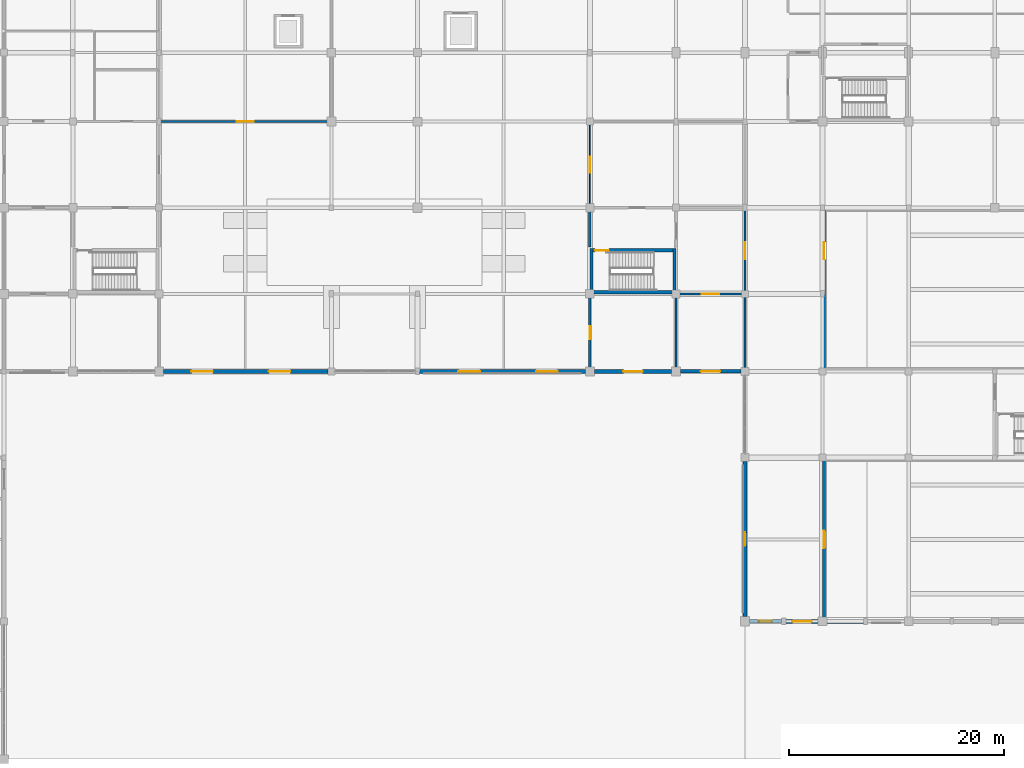
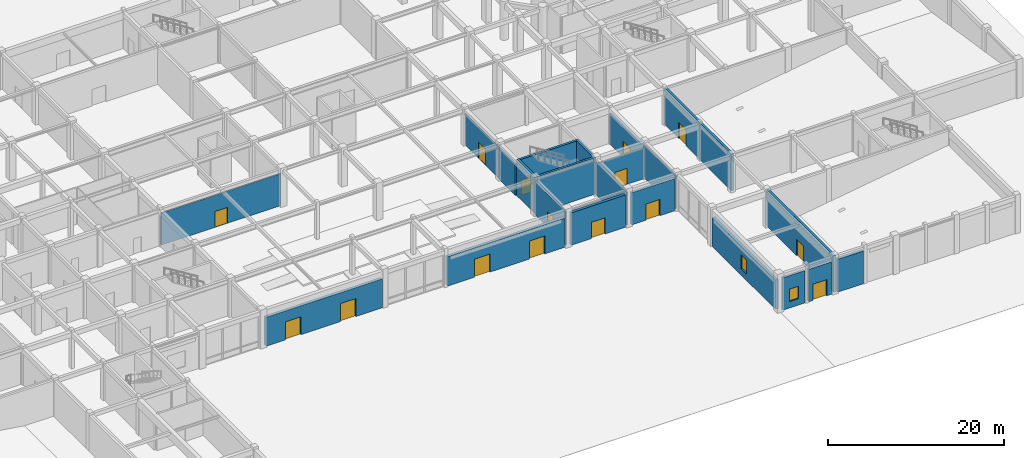
# One storey, part 26 of 40: 22 walls, 15 doors, 2 windows, 17 openings.
"""IFC4 building model written with IfcOpenShell, lengths in metres."""

from ifc_helpers import new_model, si_unit, direction, frame, frame_2d, origin, place, context, subcontext, project, spatial, rectangle, extrude, material, layer, layer_set, type_object, element, fill, save


model = new_model("IFC4")

# Units and contexts
model_context = context("Model", 3, precision=1e-05, world=origin(), true_north=direction((0.0, 1.0)))
body_context = subcontext(model_context, "Body", "Model", "MODEL_VIEW")
ifc_project = project(units=[si_unit("LENGTHUNIT", "METRE"), si_unit("AREAUNIT", "SQUARE_METRE"), si_unit("VOLUMEUNIT", "CUBIC_METRE"), si_unit("PLANEANGLEUNIT", "RADIAN"), si_unit("MASSUNIT", "GRAM", prefix="KILO")], contexts=[model_context])

# Site, building, storey
site_placement = place(None, origin())
site = spatial("IfcSite", under=ifc_project, at=site_placement, CompositionType="ELEMENT")
building_placement = place(site_placement, origin())
building = spatial("IfcBuilding", under=site, at=building_placement, Name="Vellmiral Cinema and Media Centre", CompositionType="ELEMENT")
storey_placement = place(building_placement, origin())
storey = spatial("IfcBuildingStorey", under=building, at=storey_placement, Name="L00", CompositionType="ELEMENT", Elevation=0.0)

# Wall, opening, door
ifc_material_1 = material(Name="Concrete C40/50", Category="concrete")
ifc_layer_1 = layer(ifc_material_1, 0.2099609375, Name="Concrete C40/50")
ifc_layer_set_1 = layer_set([ifc_layer_1], Name="Concrete C40/50")
wall_type_1 = type_object("IfcWallType", Name="WL-COMP-210", PredefinedType="SOLIDWALL", material=ifc_layer_set_1)
wall_1_placement = place(storey_placement, frame((110.5400390625, 43.199951171875, 0.0), z_axis=(0.0, 0.0, 1.0), x_axis=(1.0, 0.0, 0.0)))
wall_1 = element("IfcWall", 1, at=wall_1_placement, inside=storey, type_object=wall_type_1, Name="ST-P4 Protected Exit Vestibule Wall S", PredefinedType="SOLIDWALL", context=body_context, shape_type="SweptSolid", body=[
    extrude(rectangle(XDim=6.119873046875, YDim=0.2099609375, at=frame_2d((3.06005859375, 0.0))), origin(), (0.0, 0.0, 1.0), 4.22509765625),
])
opening_1_placement = place(wall_1_placement, frame((2.260009765625, 0.0, 0.0)))
opening_1 = element("IfcOpeningElement", 2, at=opening_1_placement, cuts=wall_1, Name="Opening D-FD60A", PredefinedType="OPENING", context=body_context, shape_type="SweptSolid", body=[
    extrude(rectangle(XDim=1.60009765625, YDim=2.199951171875, at=frame_2d((0.800048828125, 1.10009765625))), frame((0.0, 0.116943359375, 0.0), z_axis=(0.0, -1.0, 0.0), x_axis=(1.0, 0.0, 0.0)), (0.0, 0.0, 1.0), 0.23388671875),
])
ifc_material_2 = material(Name="Steel Fire Door", Category="steel")
door_type_1 = type_object("IfcDoorType", Name="DR-FD60-1600x2200", OperationType="DOUBLE_DOOR_SINGLE_SWING", PredefinedType="DOOR", material=ifc_material_2)
door_1_placement = place(opening_1_placement, origin())
door_1 = element("IfcDoor", 3, at=door_1_placement, inside=storey, type_object=door_type_1, Name="ST-P4 Protected Exit Vestibule Door", OperationType="DOUBLE_DOOR_SINGLE_SWING", OverallHeight=2.199951171875, OverallWidth=1.60009765625, PredefinedType="DOOR", context=body_context, shape_type="SweptSolid", body=[
    extrude(rectangle(XDim=1.60009765625, YDim=2.199951171875, at=frame_2d((0.800048828125, 1.10009765625))), frame((0.0, 0.02490234375, 0.0), z_axis=(0.0, -1.0, 0.0), x_axis=(1.0, 0.0, 0.0)), (0.0, 0.0, 1.0), 0.050048828125),
])
fill(opening_1, door_1)

wall_2_placement = place(storey_placement, frame((116.800048828125, 43.340087890625, 0.0), z_axis=(0.0, 0.0, 1.0), x_axis=(0.0, 1.0, 0.0)))
wall_2 = element("IfcWall", 4, at=wall_2_placement, inside=storey, type_object=wall_type_1, Name="ST-P4 Protected Exit Vestibule Wall E", PredefinedType="SOLIDWALL", context=body_context, shape_type="SweptSolid", body=[
    extrude(rectangle(XDim=7.719970703125, YDim=0.2099609375, at=frame_2d((3.85986328125, 0.0))), origin(), (0.0, 0.0, 1.0), 4.22509765625),
])
opening_2_placement = place(wall_2_placement, frame((3.06005859375, 0.0, 0.0)))
opening_2 = element("IfcOpeningElement", 5, at=opening_2_placement, cuts=wall_2, Name="Opening D-FD60A", PredefinedType="OPENING", context=body_context, shape_type="SweptSolid", body=[
    extrude(rectangle(XDim=1.60009765625, YDim=2.199951171875, at=frame_2d((0.800048828125, 1.10009765625))), frame((0.0, 0.116943359375, 0.0), z_axis=(0.0, -1.0, 0.0), x_axis=(1.0, 0.0, 0.0)), (0.0, 0.0, 1.0), 0.23388671875),
])
door_2_placement = place(opening_2_placement, origin())
door_2 = element("IfcDoor", 6, at=door_2_placement, inside=storey, type_object=door_type_1, Name="ST-P4 Protected Exit Vestibule Door", OperationType="DOUBLE_DOOR_SINGLE_SWING", OverallHeight=2.199951171875, OverallWidth=1.60009765625, PredefinedType="DOOR", context=body_context, shape_type="SweptSolid", body=[
    extrude(rectangle(XDim=1.60009765625, YDim=2.199951171875, at=frame_2d((0.800048828125, 1.10009765625))), frame((0.0, 0.02490234375, 0.0), z_axis=(0.0, -1.0, 0.0), x_axis=(1.0, 0.0, 0.0)), (0.0, 0.0, 1.0), 0.050048828125),
])
fill(opening_2, door_2)

# Walls
wall_3_placement = place(storey_placement, frame((110.39990234375, 36.10498046875, 0.0), z_axis=(0.0, 0.0, 1.0), x_axis=(0.0, 1.0, 0.0)))
element("IfcWall", 7, at=wall_3_placement, inside=storey, type_object=wall_type_1, Name="South-East Protected Exit Vestibule Wall W", PredefinedType="SOLIDWALL", context=body_context, shape_type="SweptSolid", body=[
    extrude(rectangle(XDim=6.955078125, YDim=0.2099609375, at=frame_2d((3.4775390625, 0.0))), origin(), (0.0, 0.0, 1.0), 4.52490234375),
])
wall_4_placement = place(storey_placement, frame((116.800048828125, 36.10498046875, 0.0), z_axis=(0.0, 0.0, 1.0), x_axis=(0.0, 1.0, 0.0)))
element("IfcWall", 8, at=wall_4_placement, inside=storey, type_object=wall_type_1, Name="South-East Protected Exit Vestibule Wall E", PredefinedType="SOLIDWALL", context=body_context, shape_type="SweptSolid", body=[
    extrude(rectangle(XDim=6.955078125, YDim=0.2099609375, at=frame_2d((3.4775390625, 0.0))), origin(), (0.0, 0.0, 1.0), 4.574951171875),
])

# Wall, opening, door
wall_5_placement = place(storey_placement, frame((102.39990234375, 36.10498046875, 0.0), z_axis=(0.0, 0.0, 1.0), x_axis=(0.0, 1.0, 0.0)))
wall_5 = element("IfcWall", 9, at=wall_5_placement, inside=storey, type_object=wall_type_1, Name="Fire Command Room Wall W", PredefinedType="SOLIDWALL", context=body_context, shape_type="SweptSolid", body=[
    extrude(rectangle(XDim=6.955078125, YDim=0.2099609375, at=frame_2d((3.4775390625, 0.0))), origin(), (0.0, 0.0, 1.0), 4.625),
])
opening_3_placement = place(wall_5_placement, frame((2.89501953125, 0.0, 0.0)))
opening_3 = element("IfcOpeningElement", 10, at=opening_3_placement, cuts=wall_5, Name="Opening D-FD60C", PredefinedType="OPENING", context=body_context, shape_type="SweptSolid", body=[
    extrude(rectangle(XDim=1.199951171875, YDim=2.199951171875, at=frame_2d((0.60009765625, 1.10009765625))), frame((0.0, 0.116943359375, 0.0), z_axis=(0.0, -1.0, 0.0), x_axis=(1.0, 0.0, 0.0)), (0.0, 0.0, 1.0), 0.23388671875),
])
ifc_material_3 = material(Name="Steel Fire Door", Category="steel")
door_type_2 = type_object("IfcDoorType", Name="DR-FD60-1200x2200", OperationType="NOTDEFINED", PredefinedType="DOOR", material=ifc_material_3)
door_3_placement = place(opening_3_placement, frame((1.199951171875, 0.0, 0.0), z_axis=(0.0, 0.0, 1.0), x_axis=(-1.0, 0.0, 0.0)))
door_3 = element("IfcDoor", 11, at=door_3_placement, inside=storey, type_object=door_type_2, Name="Fire Command Room Door", OperationType="SINGLE_SWING_LEFT", OverallHeight=2.199951171875, OverallWidth=1.199951171875, PredefinedType="DOOR", context=body_context, shape_type="SweptSolid", body=[
    extrude(rectangle(XDim=1.199951171875, YDim=2.199951171875, at=frame_2d((0.60009765625, 1.10009765625))), frame((0.0, 0.02490234375, 0.0), z_axis=(0.0, -1.0, 0.0), x_axis=(1.0, 0.0, 0.0)), (0.0, 0.0, 1.0), 0.050048828125),
])
fill(opening_3, door_3)

ifc_material_4 = material(Name="Concrete C40/50", Category="concrete")
ifc_layer_2 = layer(ifc_material_4, 0.300048828125, Name="Concrete C40/50")
ifc_layer_set_2 = layer_set([ifc_layer_2], Name="Concrete C40/50")
wall_type_2 = type_object("IfcWallType", Name="WL-CORE-300", PredefinedType="SHEAR", material=ifc_layer_set_2)
wall_6_placement = place(storey_placement, frame((124.14990234375, 12.800048828125, 0.0), z_axis=(0.0, 0.0, 1.0), x_axis=(0.0, 1.0, 0.0)))
wall_6 = element("IfcWall", 12, at=wall_6_placement, inside=storey, type_object=wall_type_2, Name="Cinema Screen 5 Acoustic Enclosure Wall L00-W1", PredefinedType="SHEAR", context=body_context, shape_type="SweptSolid", body=[
    extrude(rectangle(XDim=15.199951171875, YDim=0.300048828125, at=frame_2d((7.60009765625, 0.0))), origin(), (0.0, 0.0, 1.0), 5.080078125),
])
opening_4_placement = place(wall_6_placement, frame((6.800048828125, 0.0, 0.0)))
opening_4 = element("IfcOpeningElement", 13, at=opening_4_placement, cuts=wall_6, Name="Opening D-AC2", PredefinedType="OPENING", context=body_context, shape_type="SweptSolid", body=[
    extrude(rectangle(XDim=1.60009765625, YDim=2.25, at=frame_2d((0.800048828125, 1.125))), frame((0.0, 0.162109375, 0.0), z_axis=(0.0, -1.0, 0.0), x_axis=(1.0, 0.0, 0.0)), (0.0, 0.0, 1.0), 0.323974609375),
])
ifc_material_5 = material(Name="Acoustic Cinema Door", Category="steel")
door_type_3 = type_object("IfcDoorType", Name="DR-AC-1600x2250", OperationType="DOUBLE_DOOR_SINGLE_SWING", PredefinedType="DOOR", material=ifc_material_5)
door_4_placement = place(opening_4_placement, origin())
door_4 = element("IfcDoor", 14, at=door_4_placement, inside=storey, type_object=door_type_3, Name="Cinema Screen 5 Entrance Door", OperationType="DOUBLE_DOOR_SINGLE_SWING", OverallHeight=2.25, OverallWidth=1.60009765625, PredefinedType="DOOR", context=body_context, shape_type="SweptSolid", body=[
    extrude(rectangle(XDim=1.60009765625, YDim=2.25, at=frame_2d((0.800048828125, 1.125))), frame((0.0, 0.02490234375, 0.0), z_axis=(0.0, -1.0, 0.0), x_axis=(1.0, 0.0, 0.0)), (0.0, 0.0, 1.0), 0.050048828125),
])
fill(opening_4, door_4)

wall_7_placement = place(storey_placement, frame((124.14990234375, 36.0, 0.0), z_axis=(0.0, 0.0, 1.0), x_axis=(0.0, 1.0, 0.0)))
wall_7 = element("IfcWall", 15, at=wall_7_placement, inside=storey, type_object=wall_type_2, Name="Cinema Screen 6 Acoustic Enclosure Wall L00-W1", PredefinedType="SHEAR", context=body_context, shape_type="SweptSolid", body=[
    extrude(rectangle(XDim=15.199951171875, YDim=0.300048828125, at=frame_2d((7.60009765625, 0.0))), origin(), (0.0, 0.0, 1.0), 5.080078125),
])
opening_5_placement = place(wall_7_placement, frame((10.39990234375, 0.0, 0.0)))
opening_5 = element("IfcOpeningElement", 16, at=opening_5_placement, cuts=wall_7, Name="Opening D-AC2", PredefinedType="OPENING", context=body_context, shape_type="SweptSolid", body=[
    extrude(rectangle(XDim=1.60009765625, YDim=2.25, at=frame_2d((0.800048828125, 1.125))), frame((0.0, 0.162109375, 0.0), z_axis=(0.0, -1.0, 0.0), x_axis=(1.0, 0.0, 0.0)), (0.0, 0.0, 1.0), 0.323974609375),
])
door_5_placement = place(opening_5_placement, origin())
door_5 = element("IfcDoor", 17, at=door_5_placement, inside=storey, type_object=door_type_3, Name="Cinema Screen 6 Entrance Door", OperationType="DOUBLE_DOOR_SINGLE_SWING", OverallHeight=2.25, OverallWidth=1.60009765625, PredefinedType="DOOR", context=body_context, shape_type="SweptSolid", body=[
    extrude(rectangle(XDim=1.60009765625, YDim=2.25, at=frame_2d((0.800048828125, 1.125))), frame((0.0, 0.02490234375, 0.0), z_axis=(0.0, -1.0, 0.0), x_axis=(1.0, 0.0, 0.0)), (0.0, 0.0, 1.0), 0.050048828125),
])
fill(opening_5, door_5)

# Walls
for number, where, z_axis, x_axis, name in (
    (18, (102.550048828125, 43.199951171875, 0.0), (0.0, 0.0, 1.0), (0.0, 1.0, 0.0), "Stair Core Wall ST-P4 L00-W"),
    (19, (110.25, 43.199951171875, 0.0), (0.0, 0.0, 1.0), (0.0, 1.0, 0.0), "Stair Core Wall ST-P4 L00-E"),
):
    element("IfcWall", number, at=place(storey_placement, frame(where, z_axis=z_axis, x_axis=x_axis)), inside=storey, type_object=wall_type_2, Name=name, PredefinedType="SHEAR", context=body_context, shape_type="SweptSolid", body=[
        extrude(rectangle(XDim=4.199951171875, YDim=0.300048828125, at=frame_2d((2.10009765625, 0.0))), origin(), (0.0, 0.0, 1.0), 5.080078125),
    ])
wall_8_placement = place(storey_placement, frame((102.699951171875, 43.35009765625, 0.0), z_axis=(0.0, 0.0, 1.0), x_axis=(1.0, 0.0, 0.0)))
element("IfcWall", 20, at=wall_8_placement, inside=storey, type_object=wall_type_2, Name="Stair Core Wall ST-P4 L00-S", PredefinedType="SHEAR", context=body_context, shape_type="SweptSolid", body=[
    extrude(rectangle(XDim=7.400146484375, YDim=0.300048828125, at=frame_2d((3.7001953125, 0.0))), origin(), (0.0, 0.0, 1.0), 5.080078125),
])

# Wall, opening, door
wall_9_placement = place(storey_placement, frame((102.699951171875, 47.25, 0.0), z_axis=(0.0, 0.0, 1.0), x_axis=(1.0, 0.0, 0.0)))
wall_9 = element("IfcWall", 21, at=wall_9_placement, inside=storey, type_object=wall_type_2, Name="Stair Core Wall ST-P4 L00-N", PredefinedType="SHEAR", context=body_context, shape_type="SweptSolid", body=[
    extrude(rectangle(XDim=7.400146484375, YDim=0.300048828125, at=frame_2d((3.7001953125, 0.0))), origin(), (0.0, 0.0, 1.0), 5.080078125),
])
opening_6_placement = place(wall_9_placement, frame((0.159912109375, 0.0, 0.0)))
opening_6 = element("IfcOpeningElement", 22, at=opening_6_placement, cuts=wall_9, Name="Opening D-FD30A", PredefinedType="OPENING", context=body_context, shape_type="SweptSolid", body=[
    extrude(rectangle(XDim=1.300048828125, YDim=2.179931640625, at=frame_2d((0.64990234375, 1.08984375))), frame((0.0, 0.162109375, 0.0), z_axis=(0.0, -1.0, 0.0), x_axis=(1.0, 0.0, 0.0)), (0.0, 0.0, 1.0), 0.323974609375),
])
ifc_material_6 = material(Name="Steel Stair Fire Door", Category="steel")
door_type_4 = type_object("IfcDoorType", Name="DR-FD30-1300x2180", OperationType="NOTDEFINED", PredefinedType="DOOR", material=ifc_material_6)
door_6_placement = place(opening_6_placement, origin())
door_6 = element("IfcDoor", 23, at=door_6_placement, inside=storey, type_object=door_type_4, Name="Protected Stair Door ST-P4 L00", OperationType="SINGLE_SWING_LEFT", OverallHeight=2.179931640625, OverallWidth=1.300048828125, PredefinedType="DOOR", context=body_context, shape_type="SweptSolid", body=[
    extrude(rectangle(XDim=1.300048828125, YDim=2.179931640625, at=frame_2d((0.64990234375, 1.08984375))), frame((0.0, 0.02490234375, 0.0), z_axis=(0.0, -1.0, 0.0), x_axis=(1.0, 0.0, 0.0)), (0.0, 0.0, 1.0), 0.050048828125),
])
fill(opening_6, door_6)

ifc_material_7 = material(Name="Polychrome Glazed Ceramic Cladding", Category="masonry")
ifc_layer_3 = layer(ifc_material_7, 0.320068359375, Name="Polychrome Glazed Ceramic Cladding")
ifc_layer_set_3 = layer_set([ifc_layer_3], Name="Polychrome Glazed Ceramic Cladding")
wall_type_3 = type_object("IfcWallType", Name="WL-EXT-BRICK-320", PredefinedType="SOLIDWALL", material=ifc_layer_set_3)
wall_10_placement = place(storey_placement, frame((110.800048828125, 36.0, 0.0), z_axis=(0.0, 0.0, 1.0), x_axis=(1.0, 0.0, 0.0)))
wall_10 = element("IfcWall", 24, at=wall_10_placement, inside=storey, type_object=wall_type_3, Name="Exterior Facade Wall L00-018", PredefinedType="SOLIDWALL", context=body_context, shape_type="SweptSolid", body=[
    extrude(rectangle(XDim=5.625, YDim=0.320068359375, at=frame_2d((2.8125, 0.0))), origin(), (0.0, 0.0, 1.0), 4.465087890625),
])
opening_7_placement = place(wall_10_placement, frame((1.89990234375, 0.0, 0.0)))
opening_7 = element("IfcOpeningElement", 25, at=opening_7_placement, cuts=wall_10, Name="Opening DE-03", PredefinedType="OPENING", context=body_context, shape_type="SweptSolid", body=[
    extrude(rectangle(XDim=1.800048828125, YDim=2.25, at=frame_2d((0.89990234375, 1.125))), frame((0.0, 0.171875, 0.0), z_axis=(0.0, -1.0, 0.0), x_axis=(1.0, 0.0, 0.0)), (0.0, 0.0, 1.0), 0.343994140625),
])
ifc_material_8 = material(Name="Thermally Broken Glazed Aluminium and Bronze Door", Category="aluminium")
door_type_5 = type_object("IfcDoorType", Name="DR-EXIT-1800x2250", OperationType="DOUBLE_DOOR_SINGLE_SWING", PredefinedType="DOOR", material=ifc_material_8)
door_7_placement = place(opening_7_placement, frame((1.800048828125, 0.0, 0.0), z_axis=(0.0, 0.0, 1.0), x_axis=(-1.0, 0.0, 0.0)))
door_7 = element("IfcDoor", 26, at=door_7_placement, inside=storey, type_object=door_type_5, Name="South-East Forecourt Protected Exit Passage Door", OperationType="DOUBLE_DOOR_SINGLE_SWING", OverallHeight=2.25, OverallWidth=1.800048828125, PredefinedType="DOOR", context=body_context, shape_type="SweptSolid", body=[
    extrude(rectangle(XDim=1.800048828125, YDim=2.25, at=frame_2d((0.89990234375, 1.125))), frame((0.0, 0.02490234375, 0.0), z_axis=(0.0, -1.0, 0.0), x_axis=(1.0, 0.0, 0.0)), (0.0, 0.0, 1.0), 0.050048828125),
])
fill(opening_7, door_7)

# Wall, opening, window
wall_11_placement = place(storey_placement, frame((117.22509765625, 12.800048828125, 0.0), z_axis=(0.0, 0.0, 1.0), x_axis=(1.0, 0.0, 0.0)))
wall_11 = element("IfcWall", 27, at=wall_11_placement, inside=storey, type_object=wall_type_3, Name="Exterior Facade Wall L00-021", PredefinedType="SOLIDWALL", context=body_context, shape_type="SweptSolid", body=[
    extrude(rectangle(XDim=2.949951171875, YDim=0.320068359375, at=frame_2d((1.47509765625, 0.0))), origin(), (0.0, 0.0, 1.0), 4.47998046875),
])
opening_8_placement = place(wall_11_placement, frame((0.875, 0.0, 0.89990234375)))
opening_8 = element("IfcOpeningElement", 28, at=opening_8_placement, cuts=wall_11, Name="Opening WN-10", PredefinedType="OPENING", context=body_context, shape_type="SweptSolid", body=[
    extrude(rectangle(XDim=1.199951171875, YDim=1.699951171875, at=frame_2d((0.60009765625, 0.85009765625))), frame((0.0, 0.171875, 0.0), z_axis=(0.0, -1.0, 0.0), x_axis=(1.0, 0.0, 0.0)), (0.0, 0.0, 1.0), 0.343994140625),
])
ifc_material_9 = material(Name="Thermally Broken Aluminium Triple Glazing", Category="aluminium")
window_type_1 = type_object("IfcWindowType", Name="WN-1200x1700", PartitioningType="SINGLE_PANEL", PredefinedType="WINDOW", material=ifc_material_9)
window_1_placement = place(opening_8_placement, origin())
window_1 = element("IfcWindow", 29, at=window_1_placement, inside=storey, type_object=window_type_1, Name="Window L00-021", OverallHeight=1.699951171875, OverallWidth=1.199951171875, PartitioningType="SINGLE_PANEL", PredefinedType="WINDOW", context=body_context, shape_type="SweptSolid", body=[
    extrude(rectangle(XDim=1.199951171875, YDim=1.699951171875, at=frame_2d((0.60009765625, 0.85009765625))), frame((0.0, 0.030029296875, 0.0), z_axis=(0.0, -1.0, 0.0), x_axis=(1.0, 0.0, 0.0)), (0.0, 0.0, 1.0), 0.06005859375),
])
fill(opening_8, window_1)

# Wall, openings, doors
ifc_material_10 = material(Name="Vosges Red Sandstone Masonry", Category="masonry")
ifc_layer_4 = layer(ifc_material_10, 0.3798828125, Name="Vosges Red Sandstone Masonry")
ifc_layer_set_4 = layer_set([ifc_layer_4], Name="Vosges Red Sandstone Masonry")
wall_type_4 = type_object("IfcWallType", Name="WL-EXT-SAND-380", PredefinedType="SOLIDWALL", material=ifc_layer_set_4)
wall_12_placement = place(storey_placement, frame((62.800048828125, 36.0, 0.0), z_axis=(0.0, 0.0, 1.0), x_axis=(1.0, 0.0, 0.0)))
wall_12 = element("IfcWall", 30, at=wall_12_placement, inside=storey, type_object=wall_type_4, Name="Exterior Facade Wall L00-014", PredefinedType="SOLIDWALL", context=body_context, shape_type="SweptSolid", body=[
    extrude(rectangle(XDim=15.27490234375, YDim=0.3798828125, at=frame_2d((7.637451171875, 0.0))), origin(), (0.0, 0.0, 1.0), 4.014892578125),
])
opening_9_placement = place(wall_12_placement, frame((2.60009765625, 0.0, 0.0)))
opening_9 = element("IfcOpeningElement", 31, at=opening_9_placement, cuts=wall_12, Name="Opening DE-01", PredefinedType="OPENING", context=body_context, shape_type="SweptSolid", body=[
    extrude(rectangle(XDim=2.0, YDim=2.5, at=frame_2d((1.0, 1.25))), frame((0.0, 0.201904296875, 0.0), z_axis=(0.0, -1.0, 0.0), x_axis=(1.0, 0.0, 0.0)), (0.0, 0.0, 1.0), 0.40380859375),
])
opening_10_placement = place(wall_12_placement, frame((9.800048828125, 0.0, 0.0)))
opening_10 = element("IfcOpeningElement", 32, at=opening_10_placement, cuts=wall_12, Name="Opening DE-01", PredefinedType="OPENING", context=body_context, shape_type="SweptSolid", body=[
    extrude(rectangle(XDim=2.0, YDim=2.5, at=frame_2d((1.0, 1.25))), frame((0.0, 0.201904296875, 0.0), z_axis=(0.0, -1.0, 0.0), x_axis=(1.0, 0.0, 0.0)), (0.0, 0.0, 1.0), 0.40380859375),
])
ifc_material_11 = material(Name="Thermally Broken Glazed Aluminium and Bronze Door", Category="aluminium")
door_type_6 = type_object("IfcDoorType", Name="DR-ENT-2000x2500", OperationType="DOUBLE_DOOR_SINGLE_SWING", PredefinedType="DOOR", material=ifc_material_11)
door_8_placement = place(opening_9_placement, frame((2.0, 0.0, 0.0), z_axis=(0.0, 0.0, 1.0), x_axis=(-1.0, 0.0, 0.0)))
door_8 = element("IfcDoor", 33, at=door_8_placement, inside=storey, type_object=door_type_6, Name="Public Foyer West-South Rhine Forecourt Entrance", OperationType="DOUBLE_DOOR_SINGLE_SWING", OverallHeight=2.5, OverallWidth=2.0, PredefinedType="DOOR", context=body_context, shape_type="SweptSolid", body=[
    extrude(rectangle(XDim=2.0, YDim=2.5, at=frame_2d((1.0, 1.25))), frame((0.0, 0.02490234375, 0.0), z_axis=(0.0, -1.0, 0.0), x_axis=(1.0, 0.0, 0.0)), (0.0, 0.0, 1.0), 0.050048828125),
])
fill(opening_9, door_8)
door_9_placement = place(opening_10_placement, frame((2.0, 0.0, 0.0), z_axis=(0.0, 0.0, 1.0), x_axis=(-1.0, 0.0, 0.0)))
door_9 = element("IfcDoor", 34, at=door_9_placement, inside=storey, type_object=door_type_6, Name="Public Foyer Central-West Forecourt Entrance", OperationType="DOUBLE_DOOR_SINGLE_SWING", OverallHeight=2.5, OverallWidth=2.0, PredefinedType="DOOR", context=body_context, shape_type="SweptSolid", body=[
    extrude(rectangle(XDim=2.0, YDim=2.5, at=frame_2d((1.0, 1.25))), frame((0.0, 0.02490234375, 0.0), z_axis=(0.0, -1.0, 0.0), x_axis=(1.0, 0.0, 0.0)), (0.0, 0.0, 1.0), 0.050048828125),
])
fill(opening_10, door_9)

wall_13_placement = place(storey_placement, frame((86.60009765625, 36.0, 0.0), z_axis=(0.0, 0.0, 1.0), x_axis=(1.0, 0.0, 0.0)))
wall_13 = element("IfcWall", 35, at=wall_13_placement, inside=storey, type_object=wall_type_4, Name="Exterior Facade Wall L00-016", PredefinedType="SOLIDWALL", context=body_context, shape_type="SweptSolid", body=[
    extrude(rectangle(XDim=15.375, YDim=0.3798828125, at=frame_2d((7.6875, 0.0))), origin(), (0.0, 0.0, 1.0), 4.06494140625),
])
opening_11_placement = place(wall_13_placement, frame((3.60009765625, 0.0, 0.0)))
opening_11 = element("IfcOpeningElement", 36, at=opening_11_placement, cuts=wall_13, Name="Opening DE-01", PredefinedType="OPENING", context=body_context, shape_type="SweptSolid", body=[
    extrude(rectangle(XDim=2.0, YDim=2.5, at=frame_2d((1.0, 1.25))), frame((0.0, 0.201904296875, 0.0), z_axis=(0.0, -1.0, 0.0), x_axis=(1.0, 0.0, 0.0)), (0.0, 0.0, 1.0), 0.40380859375),
])
opening_12_placement = place(wall_13_placement, frame((10.800048828125, 0.0, 0.0)))
opening_12 = element("IfcOpeningElement", 37, at=opening_12_placement, cuts=wall_13, Name="Opening DE-01", PredefinedType="OPENING", context=body_context, shape_type="SweptSolid", body=[
    extrude(rectangle(XDim=2.0, YDim=2.5, at=frame_2d((1.0, 1.25))), frame((0.0, 0.201904296875, 0.0), z_axis=(0.0, -1.0, 0.0), x_axis=(1.0, 0.0, 0.0)), (0.0, 0.0, 1.0), 0.40380859375),
])
door_10_placement = place(opening_11_placement, frame((2.0, 0.0, 0.0), z_axis=(0.0, 0.0, 1.0), x_axis=(-1.0, 0.0, 0.0)))
door_10 = element("IfcDoor", 38, at=door_10_placement, inside=storey, type_object=door_type_6, Name="Public Foyer Central-East Forecourt Entrance", OperationType="DOUBLE_DOOR_SINGLE_SWING", OverallHeight=2.5, OverallWidth=2.0, PredefinedType="DOOR", context=body_context, shape_type="SweptSolid", body=[
    extrude(rectangle(XDim=2.0, YDim=2.5, at=frame_2d((1.0, 1.25))), frame((0.0, 0.02490234375, 0.0), z_axis=(0.0, -1.0, 0.0), x_axis=(1.0, 0.0, 0.0)), (0.0, 0.0, 1.0), 0.050048828125),
])
fill(opening_11, door_10)
door_11_placement = place(opening_12_placement, frame((2.0, 0.0, 0.0), z_axis=(0.0, 0.0, 1.0), x_axis=(-1.0, 0.0, 0.0)))
door_11 = element("IfcDoor", 39, at=door_11_placement, inside=storey, type_object=door_type_6, Name="Public Foyer East-South Forecourt Entrance", OperationType="DOUBLE_DOOR_SINGLE_SWING", OverallHeight=2.5, OverallWidth=2.0, PredefinedType="DOOR", context=body_context, shape_type="SweptSolid", body=[
    extrude(rectangle(XDim=2.0, YDim=2.5, at=frame_2d((1.0, 1.25))), frame((0.0, 0.02490234375, 0.0), z_axis=(0.0, -1.0, 0.0), x_axis=(1.0, 0.0, 0.0)), (0.0, 0.0, 1.0), 0.050048828125),
])
fill(opening_12, door_11)

# Wall, opening, door
wall_14_placement = place(storey_placement, frame((102.824951171875, 36.0, 0.0), z_axis=(0.0, 0.0, 1.0), x_axis=(1.0, 0.0, 0.0)))
wall_14 = element("IfcWall", 40, at=wall_14_placement, inside=storey, type_object=wall_type_4, Name="Exterior Facade Wall L00-017", PredefinedType="SOLIDWALL", context=body_context, shape_type="SweptSolid", body=[
    extrude(rectangle(XDim=7.175048828125, YDim=0.3798828125, at=frame_2d((3.58740234375, 0.0))), origin(), (0.0, 0.0, 1.0), 4.47998046875),
])
opening_13_placement = place(wall_14_placement, frame((2.675048828125, 0.0, 0.0)))
opening_13 = element("IfcOpeningElement", 41, at=opening_13_placement, cuts=wall_14, Name="Opening DE-03", PredefinedType="OPENING", context=body_context, shape_type="SweptSolid", body=[
    extrude(rectangle(XDim=1.800048828125, YDim=2.25, at=frame_2d((0.89990234375, 1.125))), frame((0.0, 0.201904296875, 0.0), z_axis=(0.0, -1.0, 0.0), x_axis=(1.0, 0.0, 0.0)), (0.0, 0.0, 1.0), 0.40380859375),
])
door_12_placement = place(opening_13_placement, frame((1.800048828125, 0.0, 0.0), z_axis=(0.0, 0.0, 1.0), x_axis=(-1.0, 0.0, 0.0)))
door_12 = element("IfcDoor", 42, at=door_12_placement, inside=storey, type_object=door_type_5, Name="Fire Command Direct Forecourt Entrance", OperationType="DOUBLE_DOOR_SINGLE_SWING", OverallHeight=2.25, OverallWidth=1.800048828125, PredefinedType="DOOR", context=body_context, shape_type="SweptSolid", body=[
    extrude(rectangle(XDim=1.800048828125, YDim=2.25, at=frame_2d((0.89990234375, 1.125))), frame((0.0, 0.02490234375, 0.0), z_axis=(0.0, -1.0, 0.0), x_axis=(1.0, 0.0, 0.0)), (0.0, 0.0, 1.0), 0.050048828125),
])
fill(opening_13, door_12)

# Wall, opening, window
wall_15_placement = place(storey_placement, frame((116.800048828125, 27.625, 0.0), z_axis=(0.0, 0.0, 1.0), x_axis=(0.0, -1.0, 0.0)))
wall_15 = element("IfcWall", 43, at=wall_15_placement, inside=storey, type_object=wall_type_4, Name="Exterior Facade Wall L00-020", PredefinedType="SOLIDWALL", context=body_context, shape_type="SweptSolid", body=[
    extrude(rectangle(XDim=14.39990234375, YDim=0.3798828125, at=frame_2d((7.199951171875, 0.0))), origin(), (0.0, 0.0, 1.0), 4.014892578125),
])
opening_14_placement = place(wall_15_placement, frame((6.574951171875, 0.0, 0.89990234375)))
opening_14 = element("IfcOpeningElement", 44, at=opening_14_placement, cuts=wall_15, Name="Opening WN-09", PredefinedType="OPENING", context=body_context, shape_type="SweptSolid", body=[
    extrude(rectangle(XDim=1.25, YDim=1.89990234375, at=frame_2d((0.625, 0.949951171875))), frame((0.0, 0.201904296875, 0.0), z_axis=(0.0, -1.0, 0.0), x_axis=(1.0, 0.0, 0.0)), (0.0, 0.0, 1.0), 0.40380859375),
])
ifc_material_12 = material(Name="Thermally Broken Aluminium Triple Glazing", Category="aluminium")
window_type_2 = type_object("IfcWindowType", Name="WN-1250x1900", PartitioningType="SINGLE_PANEL", PredefinedType="WINDOW", material=ifc_material_12)
window_2_placement = place(opening_14_placement, origin())
window_2 = element("IfcWindow", 45, at=window_2_placement, inside=storey, type_object=window_type_2, Name="Window L00-020", OverallHeight=1.89990234375, OverallWidth=1.25, PartitioningType="SINGLE_PANEL", PredefinedType="WINDOW", context=body_context, shape_type="SweptSolid", body=[
    extrude(rectangle(XDim=1.25, YDim=1.89990234375, at=frame_2d((0.625, 0.949951171875))), frame((0.0, 0.030029296875, 0.0), z_axis=(0.0, -1.0, 0.0), x_axis=(1.0, 0.0, 0.0)), (0.0, 0.0, 1.0), 0.06005859375),
])
fill(opening_14, window_2)

# Wall, opening, door
wall_16_placement = place(storey_placement, frame((120.625, 12.800048828125, 0.0), z_axis=(0.0, 0.0, 1.0), x_axis=(1.0, 0.0, 0.0)))
wall_16 = element("IfcWall", 46, at=wall_16_placement, inside=storey, type_object=wall_type_4, Name="Exterior Facade Wall L00-022", PredefinedType="SOLIDWALL", context=body_context, shape_type="SweptSolid", body=[
    extrude(rectangle(XDim=2.97509765625, YDim=0.3798828125, at=frame_2d((1.487548828125, 0.0))), origin(), (0.0, 0.0, 1.0), 4.47998046875),
])
opening_15_placement = place(wall_16_placement, frame((0.574951171875, 0.0, 0.0)))
opening_15 = element("IfcOpeningElement", 47, at=opening_15_placement, cuts=wall_16, Name="Opening DE-03", PredefinedType="OPENING", context=body_context, shape_type="SweptSolid", body=[
    extrude(rectangle(XDim=1.800048828125, YDim=2.25, at=frame_2d((0.89990234375, 1.125))), frame((0.0, 0.201904296875, 0.0), z_axis=(0.0, -1.0, 0.0), x_axis=(1.0, 0.0, 0.0)), (0.0, 0.0, 1.0), 0.40380859375),
])
door_13_placement = place(opening_15_placement, frame((1.800048828125, 0.0, 0.0), z_axis=(0.0, 0.0, 1.0), x_axis=(-1.0, 0.0, 0.0)))
door_13 = element("IfcDoor", 48, at=door_13_placement, inside=storey, type_object=door_type_5, Name="East Cinema Harbour Quay Exit", OperationType="DOUBLE_DOOR_SINGLE_SWING", OverallHeight=2.25, OverallWidth=1.800048828125, PredefinedType="DOOR", context=body_context, shape_type="SweptSolid", body=[
    extrude(rectangle(XDim=1.800048828125, YDim=2.25, at=frame_2d((0.89990234375, 1.125))), frame((0.0, 0.02490234375, 0.0), z_axis=(0.0, -1.0, 0.0), x_axis=(1.0, 0.0, 0.0)), (0.0, 0.0, 1.0), 0.050048828125),
])
fill(opening_15, door_13)

# Walls
wall_17_placement = place(storey_placement, frame((124.39990234375, 12.800048828125, 0.0), z_axis=(0.0, 0.0, 1.0), x_axis=(1.0, 0.0, 0.0)))
element("IfcWall", 49, at=wall_17_placement, inside=storey, type_object=wall_type_4, Name="Exterior Facade Wall L00-023", PredefinedType="SOLIDWALL", context=body_context, shape_type="SweptSolid", body=[
    extrude(rectangle(XDim=3.400146484375, YDim=0.3798828125, at=frame_2d((1.7001953125, 0.0))), origin(), (0.0, 0.0, 1.0), 4.554931640625),
])
ifc_material_13 = material(Name="Concrete C40/50", Category="concrete")
ifc_layer_5 = layer(ifc_material_13, 0.22998046875, Name="Concrete C40/50")
ifc_layer_set_5 = layer_set([ifc_layer_5], Name="Concrete C40/50")
wall_type_5 = type_object("IfcWallType", Name="WL-FFL-230", PredefinedType="SOLIDWALL", material=ifc_layer_set_5)
wall_18_placement = place(storey_placement, frame((102.39990234375, 47.5400390625, 0.0), z_axis=(0.0, 0.0, 1.0), x_axis=(0.0, 1.0, 0.0)))
element("IfcWall", 50, at=wall_18_placement, inside=storey, type_object=wall_type_5, Name="Firefighting Stair Lobby ST-P4 Wall W", PredefinedType="SOLIDWALL", context=body_context, shape_type="SweptSolid", body=[
    extrude(rectangle(XDim=3.52001953125, YDim=0.22998046875, at=frame_2d((1.760009765625, 0.0))), origin(), (0.0, 0.0, 1.0), 4.324951171875),
])

# Wall, opening, door
ifc_material_14 = material(Name="Gypsum Plasterboard")
ifc_layer_6 = layer(ifc_material_14, 0.02490234375, Name="Gypsum Plasterboard", Category="gypsum")
ifc_material_15 = material(Name="Mineral Wool Acoustic Insulation", Category="insulation")
ifc_layer_7 = layer(ifc_material_15, 0.06005859375, Name="Mineral Wool Acoustic Insulation", Category="insulation")
ifc_layer_8 = layer(ifc_material_14, 0.02490234375, Name="Gypsum Plasterboard", Category="gypsum")
ifc_layer_set_6 = layer_set([ifc_layer_6, ifc_layer_7, ifc_layer_8], Name="Gypsum Plasterboard")
wall_type_6 = type_object("IfcWallType", Name="WL-PART-110", PredefinedType="PARTITIONING", material=ifc_layer_set_6)
wall_19_placement = place(storey_placement, frame((102.39990234375, 51.340087890625, 0.0), z_axis=(0.0, 0.0, 1.0), x_axis=(0.0, 1.0, 0.0)))
wall_19 = element("IfcWall", 51, at=wall_19_placement, inside=storey, type_object=wall_type_6, Name="Promenade Cinema Cafe Wall W", PredefinedType="PARTITIONING", context=body_context, shape_type="SweptSolid", body=[
    extrude(rectangle(XDim=7.719970703125, YDim=0.110107421875, at=frame_2d((3.85986328125, 0.0))), origin(), (0.0, 0.0, 1.0), 4.375),
])
opening_16_placement = place(wall_19_placement, frame((3.110107421875, 0.0, 0.0)))
opening_16 = element("IfcOpeningElement", 52, at=opening_16_placement, cuts=wall_19, Name="Opening D-I03", PredefinedType="OPENING", context=body_context, shape_type="SweptSolid", body=[
    extrude(rectangle(XDim=1.5, YDim=2.199951171875, at=frame_2d((0.75, 1.10009765625))), frame((0.0, 0.06689453125, 0.0), z_axis=(0.0, -1.0, 0.0), x_axis=(1.0, 0.0, 0.0)), (0.0, 0.0, 1.0), 0.134033203125),
])
ifc_material_16 = material(Name="Laminated Timber Door", Category="wood")
door_type_7 = type_object("IfcDoorType", Name="DR-INT-1500x2200", OperationType="DOUBLE_DOOR_SINGLE_SWING", PredefinedType="DOOR", material=ifc_material_16)
door_14_placement = place(opening_16_placement, origin())
door_14 = element("IfcDoor", 53, at=door_14_placement, inside=storey, type_object=door_type_7, Name="Promenade Cinema Cafe Door", OperationType="DOUBLE_DOOR_SINGLE_SWING", OverallHeight=2.199951171875, OverallWidth=1.5, PredefinedType="DOOR", context=body_context, shape_type="SweptSolid", body=[
    extrude(rectangle(XDim=1.5, YDim=2.199951171875, at=frame_2d((0.75, 1.10009765625))), frame((0.0, 0.02490234375, 0.0), z_axis=(0.0, -1.0, 0.0), x_axis=(1.0, 0.0, 0.0)), (0.0, 0.0, 1.0), 0.050048828125),
])
fill(opening_16, door_14)

ifc_material_17 = material(Name="Gypsum Plasterboard")
ifc_layer_9 = layer(ifc_material_17, 0.02490234375, Name="Gypsum Plasterboard", Category="gypsum")
ifc_material_18 = material(Name="Mineral Wool Acoustic Insulation", Category="insulation")
ifc_layer_10 = layer(ifc_material_18, 0.139892578125, Name="Mineral Wool Acoustic Insulation", Category="insulation")
ifc_layer_11 = layer(ifc_material_17, 0.02490234375, Name="Gypsum Plasterboard", Category="gypsum")
ifc_layer_set_7 = layer_set([ifc_layer_9, ifc_layer_10, ifc_layer_11], Name="Gypsum Plasterboard")
wall_type_7 = type_object("IfcWallType", Name="WL-PART-190", PredefinedType="PARTITIONING", material=ifc_layer_set_7)
wall_20_placement = place(storey_placement, frame((62.5400390625, 59.199951171875, 0.0), z_axis=(0.0, 0.0, 1.0), x_axis=(1.0, 0.0, 0.0)))
wall_20 = element("IfcWall", 54, at=wall_20_placement, inside=storey, type_object=wall_type_7, Name="Media Library Reception and Periodicals Wall S", PredefinedType="PARTITIONING", context=body_context, shape_type="SweptSolid", body=[
    extrude(rectangle(XDim=15.719970703125, YDim=0.18994140625, at=frame_2d((7.85986328125, 0.0))), origin(), (0.0, 0.0, 1.0), 4.425048828125),
])
opening_17_placement = place(wall_20_placement, frame((7.06005859375, 0.0, 0.0)))
opening_17 = element("IfcOpeningElement", 55, at=opening_17_placement, cuts=wall_20, Name="Opening D-I02", PredefinedType="OPENING", context=body_context, shape_type="SweptSolid", body=[
    extrude(rectangle(XDim=1.60009765625, YDim=2.199951171875, at=frame_2d((0.800048828125, 1.10009765625))), frame((0.0, 0.10693359375, 0.0), z_axis=(0.0, -1.0, 0.0), x_axis=(1.0, 0.0, 0.0)), (0.0, 0.0, 1.0), 0.2138671875),
])
ifc_material_19 = material(Name="Laminated Timber and Glass Door", Category="wood")
door_type_8 = type_object("IfcDoorType", Name="DR-INT-1600x2200", OperationType="DOUBLE_DOOR_SINGLE_SWING", PredefinedType="DOOR", material=ifc_material_19)
door_15_placement = place(opening_17_placement, origin())
door_15 = element("IfcDoor", 56, at=door_15_placement, inside=storey, type_object=door_type_8, Name="Media Library Reception and Periodicals Door", OperationType="DOUBLE_DOOR_SINGLE_SWING", OverallHeight=2.199951171875, OverallWidth=1.60009765625, PredefinedType="DOOR", context=body_context, shape_type="SweptSolid", body=[
    extrude(rectangle(XDim=1.60009765625, YDim=2.199951171875, at=frame_2d((0.800048828125, 1.10009765625))), frame((0.0, 0.02490234375, 0.0), z_axis=(0.0, -1.0, 0.0), x_axis=(1.0, 0.0, 0.0)), (0.0, 0.0, 1.0), 0.050048828125),
])
fill(opening_17, door_15)

save(model, "model.ifc")
